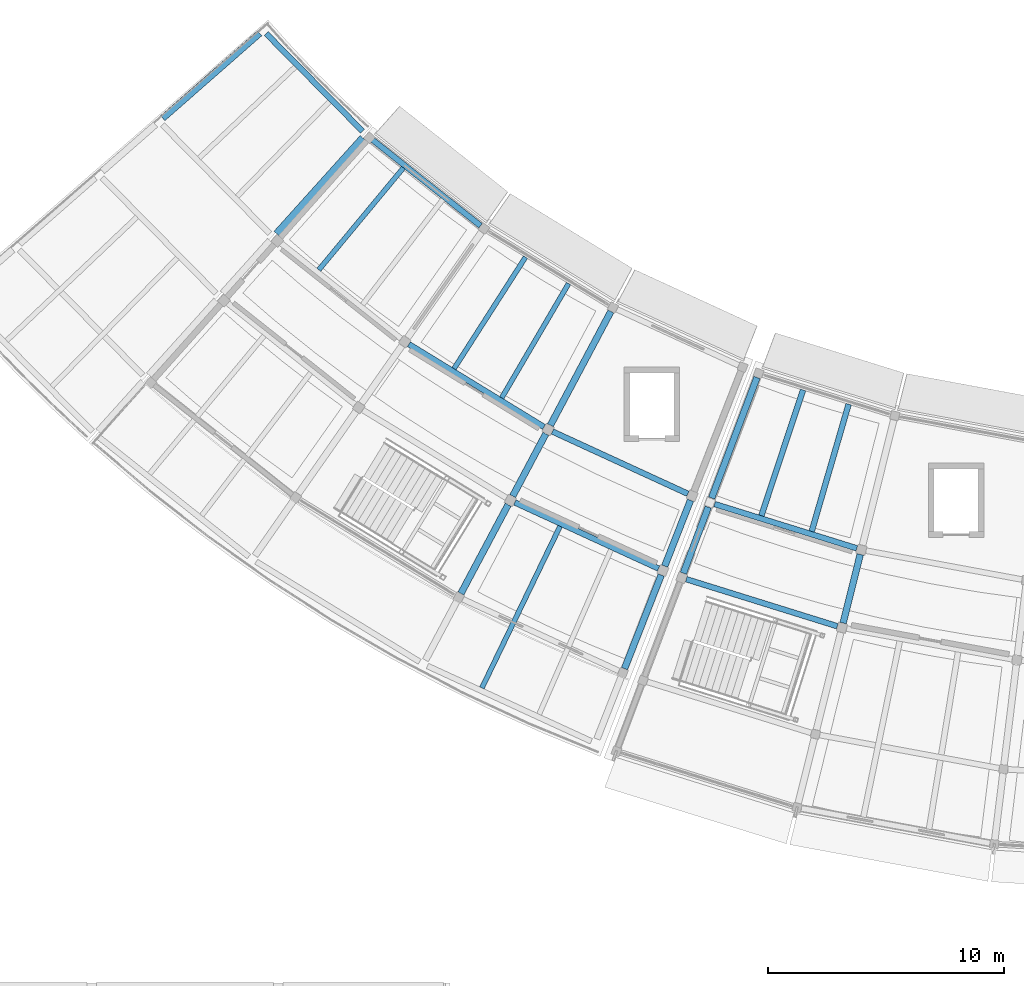
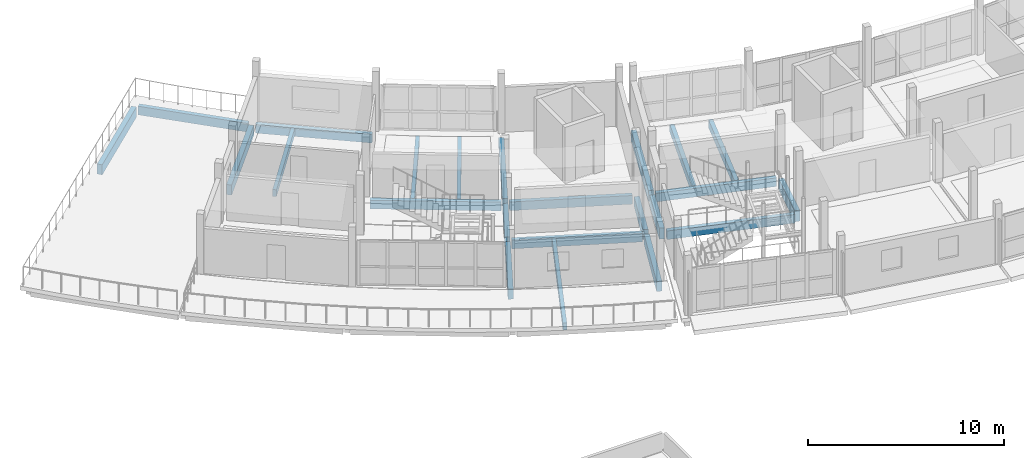
# One storey, part 11 of 36: 23 beams.
"""IFC4 building model written with IfcOpenShell, lengths in metres."""

from ifc_helpers import new_model, si_unit, direction, frame, origin, origin_2d, place, context, subcontext, project, spatial, rectangle, extrude, material, material_profile, profile_set, type_object, element, save


model = new_model("IFC4")

# Units and contexts
model_context = context("Model", 3, precision=1e-05, world=origin(), true_north=direction((0.0, 1.0)))
body_context = subcontext(model_context, "Body", "Model", "MODEL_VIEW")
ifc_project = project(units=[si_unit("LENGTHUNIT", "METRE"), si_unit("AREAUNIT", "SQUARE_METRE"), si_unit("VOLUMEUNIT", "CUBIC_METRE"), si_unit("PLANEANGLEUNIT", "RADIAN"), si_unit("MASSUNIT", "GRAM", prefix="KILO")], contexts=[model_context])

# Site, building, storey
site_placement = place(None, origin())
site = spatial("IfcSite", under=ifc_project, at=site_placement, CompositionType="ELEMENT")
building_placement = place(site_placement, origin())
building = spatial("IfcBuilding", under=site, at=building_placement, Name="Caldaven Crescent School", CompositionType="ELEMENT")
storey_placement = place(building_placement, frame((0.0, 0.0, 11.89990234375)))
storey = spatial("IfcBuildingStorey", under=building, at=storey_placement, Name="L03", CompositionType="ELEMENT", Elevation=11.89990234375)

# Beams
ifc_material = material(Name="Glulam MLE24h (GL28h)", Category="wood")
ifc_material_profile_1 = material_profile(ifc_material, rectangle(XDim=0.239990234375, YDim=0.5400390625, at=origin_2d()), Name="MLE 240x540")
ifc_profile_set_1 = profile_set([ifc_material_profile_1], Name="Glulam MLE24h (GL28h)")
beam_type_1 = type_object("IfcBeamType", Name="BM-GL54", PredefinedType="BEAM", material=ifc_profile_set_1)
beam_1_placement = place(storey_placement, frame((54.7353515625, 48.13623046875, -0.52001953125), z_axis=(0.85265146304, -0.52248012649, 0.0), x_axis=(0.52248012649, 0.85265146304, 0.0)))
element("IfcBeam", 1, at=beam_1_placement, inside=storey, type_object=beam_type_1, Name="BMT-V4W-L03-1379", PredefinedType="BEAM", context=body_context, shape_type="SweptSolid", body=[
    extrude(rectangle(XDim=0.239990234375, YDim=0.5400390625, at=origin_2d()), origin(), (0.0, 0.0, 1.0), 6.708251953125),
])
beam_2_placement = place(storey_placement, frame((60.816162109375, 44.4384765625, -0.52001953125), z_axis=(0.908521604568, -0.417837880083, 0.0), x_axis=(0.417837880083, 0.908521604568, 0.0)))
element("IfcBeam", 2, at=beam_2_placement, inside=storey, type_object=beam_type_1, Name="BMT-V4W-L03-1386", PredefinedType="BEAM", context=body_context, shape_type="SweptSolid", body=[
    extrude(rectangle(XDim=0.239990234375, YDim=0.5400390625, at=origin_2d()), origin(), (0.0, 0.0, 1.0), 6.307373046875),
])
beam_3_placement = place(storey_placement, frame((59.219970703125, 41.4365234375, -0.52001953125), z_axis=(0.908529189987, -0.41782138641, 0.0), x_axis=(0.41782138641, 0.908529189987, 0.0)))
element("IfcBeam", 3, at=beam_3_placement, inside=storey, type_object=beam_type_1, Name="BMT-V4W-L03-1387", PredefinedType="BEAM", context=body_context, shape_type="SweptSolid", body=[
    extrude(rectangle(XDim=0.239990234375, YDim=0.5400390625, at=origin_2d()), origin(), (0.0, 0.0, 1.0), 6.69921875),
])
beam_4_placement = place(storey_placement, frame((67.67822265625, 41.36865234375, -0.52001953125), z_axis=(0.954745450865, -0.297424148401, 0.0), x_axis=(0.297424148401, 0.954745450865, 0.0)))
element("IfcBeam", 4, at=beam_4_placement, inside=storey, type_object=beam_type_1, Name="BMT-V5-L03-1421", PredefinedType="BEAM", context=body_context, shape_type="SweptSolid", body=[
    extrude(rectangle(XDim=0.239990234375, YDim=0.5400390625, at=origin_2d()), origin(), (0.0, 0.0, 1.0), 6.307373046875),
])
beam_5_placement = place(storey_placement, frame((66.4814453125, 38.186279296875, -0.52001953125), z_axis=(0.95474092987, -0.29743866062, 0.0), x_axis=(0.29743866062, 0.95474092987, 0.0)))
element("IfcBeam", 5, at=beam_5_placement, inside=storey, type_object=beam_type_1, Name="BMT-V5-L03-1422", PredefinedType="BEAM", context=body_context, shape_type="SweptSolid", body=[
    extrude(rectangle(XDim=0.239990234375, YDim=0.5400390625, at=origin_2d()), origin(), (0.0, 0.0, 1.0), 6.699462890625),
])
ifc_material_profile_2 = material_profile(ifc_material, rectangle(XDim=0.280029296875, YDim=0.6298828125, at=origin_2d()), Name="MLE 280x630")
ifc_profile_set_2 = profile_set([ifc_material_profile_2], Name="Glulam MLE24h (GL28h)")
beam_type_2 = type_object("IfcBeamType", Name="BM-GL63", PredefinedType="BEAM", material=ifc_profile_set_2)
beam_6_placement = place(storey_placement, frame((48.4140625, 61.302490234375, -0.56494140625), z_axis=(-0.752013619297, -0.659147567994, 0.0), x_axis=(0.659147567994, -0.752013619297, 0.0)))
element("IfcBeam", 6, at=beam_6_placement, inside=storey, type_object=beam_type_2, Name="BMR-V4W-L03-1340", PredefinedType="BEAM", context=body_context, shape_type="SweptSolid", body=[
    extrude(rectangle(XDim=0.280029296875, YDim=0.6298828125, at=origin_2d()), origin(), (0.0, 0.0, 1.0), 5.455078125),
])
beam_7_placement = place(storey_placement, frame((52.77685546875, 56.880859375, -0.56494140625), z_axis=(-0.669100719019, -0.743171735071, 0.0), x_axis=(0.743171735071, -0.669100719019, 0.0)))
element("IfcBeam", 7, at=beam_7_placement, inside=storey, type_object=beam_type_2, Name="BMR-V4W-L03-1344", PredefinedType="BEAM", context=body_context, shape_type="SweptSolid", body=[
    extrude(rectangle(XDim=0.280029296875, YDim=0.6298828125, at=origin_2d()), origin(), (0.0, 0.0, 1.0), 5.454833984375),
])
beam_8_placement = place(storey_placement, frame((63.287109375, 49.521728515625, -0.56494140625), z_axis=(-0.469468235073, -0.882949362227, 0.0), x_axis=(0.882949362227, -0.469468235073, 0.0)))
element("IfcBeam", 8, at=beam_8_placement, inside=storey, type_object=beam_type_2, Name="BMR-V4W-L03-1352", PredefinedType="BEAM", context=body_context, shape_type="SweptSolid", body=[
    extrude(rectangle(XDim=0.280029296875, YDim=0.6298828125, at=origin_2d()), origin(), (0.0, 0.0, 1.0), 5.455078125),
])
beam_9_placement = place(storey_placement, frame((60.533447265625, 44.34326171875, -0.56494140625), z_axis=(-0.46941390334, -0.882978248515, 0.0), x_axis=(0.882978248515, -0.46941390334, 0.0)))
element("IfcBeam", 9, at=beam_9_placement, inside=storey, type_object=beam_type_2, Name="BMR-V4W-L03-1353", PredefinedType="BEAM", context=body_context, shape_type="SweptSolid", body=[
    extrude(rectangle(XDim=0.280029296875, YDim=0.6298828125, at=origin_2d()), origin(), (0.0, 0.0, 1.0), 2.989990234375),
])
beam_10_placement = place(storey_placement, frame((58.937255859375, 41.341064453125, -0.56494140625), z_axis=(-0.469474034945, -0.882946278384, 0.0), x_axis=(0.882946278384, -0.469474034945, 0.0)))
element("IfcBeam", 10, at=beam_10_placement, inside=storey, type_object=beam_type_2, Name="BMR-V4W-L03-1354", PredefinedType="BEAM", context=body_context, shape_type="SweptSolid", body=[
    extrude(rectangle(XDim=0.280029296875, YDim=0.6298828125, at=origin_2d()), origin(), (0.0, 0.0, 1.0), 4.2548828125),
])
beam_11_placement = place(storey_placement, frame((66.658203125, 41.526611328125, -0.56494140625), z_axis=(-0.364821090582, -0.931077640085, 0.0), x_axis=(0.931077640085, -0.364821090582, 0.0)))
element("IfcBeam", 11, at=beam_11_placement, inside=storey, type_object=beam_type_2, Name="BMR-V4W-L03-1357", PredefinedType="BEAM", context=body_context, shape_type="SweptSolid", body=[
    extrude(rectangle(XDim=0.280029296875, YDim=0.6298828125, at=origin_2d()), origin(), (0.0, 0.0, 1.0), 2.989990234375),
])
beam_12_placement = place(storey_placement, frame((65.417724609375, 38.36083984375, -0.56494140625), z_axis=(-0.364743301382, -0.931108116223, 0.0), x_axis=(0.931108116223, -0.364743301382, 0.0)))
element("IfcBeam", 12, at=beam_12_placement, inside=storey, type_object=beam_type_2, Name="BMR-V4W-L03-1358", PredefinedType="BEAM", context=body_context, shape_type="SweptSolid", body=[
    extrude(rectangle(XDim=0.280029296875, YDim=0.6298828125, at=origin_2d()), origin(), (0.0, 0.0, 1.0), 4.255126953125),
])
ifc_material_profile_3 = material_profile(ifc_material, rectangle(XDim=0.280029296875, YDim=0.68994140625, at=origin_2d()), Name="MLE 280x690")
ifc_profile_set_3 = profile_set([ifc_material_profile_3], Name="Glulam MLE24h (GL28h)")
beam_type_3 = type_object("IfcBeamType", Name="BM-GL69", PredefinedType="BEAM", material=ifc_profile_set_3)
beam_13_placement = place(storey_placement, frame((69.474365234375, 46.7275390625, -0.594970703125), z_axis=(-0.351957103113, -0.936016131041, 0.0), x_axis=(0.936016131041, -0.351957103113, 0.0)))
element("IfcBeam", 13, at=beam_13_placement, inside=storey, type_object=beam_type_3, Name="BMR-V5-L03-1392", PredefinedType="BEAM", context=body_context, shape_type="SweptSolid", body=[
    extrude(rectangle(XDim=0.280029296875, YDim=0.68994140625, at=origin_2d()), origin(), (0.0, 0.0, 1.0), 5.455078125),
])
beam_14_placement = place(storey_placement, frame((67.41015625, 41.23779296875, -0.594970703125), z_axis=(-0.351937632277, -0.936023452157, 0.0), x_axis=(0.936023452157, -0.351937632277, 0.0)))
element("IfcBeam", 14, at=beam_14_placement, inside=storey, type_object=beam_type_3, Name="BMR-V5-L03-1393", PredefinedType="BEAM", context=body_context, shape_type="SweptSolid", body=[
    extrude(rectangle(XDim=0.280029296875, YDim=0.68994140625, at=origin_2d()), origin(), (0.0, 0.0, 1.0), 2.98974609375),
])
beam_15_placement = place(storey_placement, frame((73.846435546875, 39.23291015625, -0.594970703125), z_axis=(-0.241920820529, -0.97029599432, 0.0), x_axis=(0.97029599432, -0.241920820529, 0.0)))
element("IfcBeam", 15, at=beam_15_placement, inside=storey, type_object=beam_type_3, Name="BMR-V5-L03-1397", PredefinedType="BEAM", context=body_context, shape_type="SweptSolid", body=[
    extrude(rectangle(XDim=0.280029296875, YDim=0.68994140625, at=origin_2d()), origin(), (0.0, 0.0, 1.0), 2.990234375),
])
ifc_material_profile_4 = material_profile(ifc_material, rectangle(XDim=0.2099609375, YDim=0.419921875, at=origin_2d()), Name="MLE 210x420")
ifc_profile_set_4 = profile_set([ifc_material_profile_4], Name="Glulam MLE24h (GL28h)")
beam_type_4 = type_object("IfcBeamType", Name="JS-GL42", PredefinedType="JOIST", material=ifc_profile_set_4)
beam_16_placement = place(storey_placement, frame((54.501220703125, 55.604736328125, -0.4599609375), z_axis=(-0.638337756262, -0.769756395836, 0.0), x_axis=(0.769756395836, -0.638337756262, 0.0)))
element("IfcBeam", 16, at=beam_16_placement, inside=storey, type_object=beam_type_4, Name="JSR-V4W-L03-1374", PredefinedType="JOIST", context=body_context, shape_type="SweptSolid", body=[
    extrude(rectangle(XDim=0.2099609375, YDim=0.419921875, at=origin_2d()), origin(), (0.0, 0.0, 1.0), 5.6103515625),
])
beam_17_placement = place(storey_placement, frame((59.673828125, 51.8232421875, -0.4599609375), z_axis=(-0.539758643815, -0.841819818267, 0.0), x_axis=(0.841819818267, -0.539758643815, 0.0)))
element("IfcBeam", 17, at=beam_17_placement, inside=storey, type_object=beam_type_4, Name="JSR-V4W-L03-1383", PredefinedType="JOIST", context=body_context, shape_type="SweptSolid", body=[
    extrude(rectangle(XDim=0.2099609375, YDim=0.419921875, at=origin_2d()), origin(), (0.0, 0.0, 1.0), 5.610107421875),
])
beam_18_placement = place(storey_placement, frame((61.498046875, 50.70556640625, -0.4599609375), z_axis=(-0.505012393824, -0.863112091263, 0.0), x_axis=(0.863112091263, -0.505012393824, 0.0)))
element("IfcBeam", 18, at=beam_18_placement, inside=storey, type_object=beam_type_4, Name="JSR-V4W-L03-1384", PredefinedType="JOIST", context=body_context, shape_type="SweptSolid", body=[
    extrude(rectangle(XDim=0.2099609375, YDim=0.419921875, at=origin_2d()), origin(), (0.0, 0.0, 1.0), 5.6103515625),
])
beam_19_placement = place(storey_placement, frame((61.136474609375, 40.428466796875, -0.4599609375), z_axis=(-0.435211145562, -0.900328417178, 0.0), x_axis=(0.900328417178, -0.435211145562, 0.0)))
element("IfcBeam", 19, at=beam_19_placement, inside=storey, type_object=beam_type_4, Name="JSR-V4W-L03-1390", PredefinedType="JOIST", context=body_context, shape_type="SweptSolid", body=[
    extrude(rectangle(XDim=0.2099609375, YDim=0.419921875, at=origin_2d()), origin(), (0.0, 0.0, 1.0), 7.6083984375),
])
ifc_material_profile_5 = material_profile(ifc_material, rectangle(XDim=0.239990234375, YDim=0.47998046875, at=origin_2d()), Name="MLE 240x480")
ifc_profile_set_5 = profile_set([ifc_material_profile_5], Name="Glulam MLE24h (GL28h)")
beam_type_5 = type_object("IfcBeamType", Name="JS-GL48", PredefinedType="JOIST", material=ifc_profile_set_5)
beam_20_placement = place(storey_placement, frame((71.42822265625, 46.197265625, -0.489990234375), z_axis=(-0.315731740735, -0.948848495753, 0.0), x_axis=(0.948848495753, -0.315731740735, 0.0)))
element("IfcBeam", 20, at=beam_20_placement, inside=storey, type_object=beam_type_5, Name="JSR-V5-L03-1425", PredefinedType="JOIST", context=body_context, shape_type="SweptSolid", body=[
    extrude(rectangle(XDim=0.239990234375, YDim=0.47998046875, at=origin_2d()), origin(), (0.0, 0.0, 1.0), 5.611572265625),
])
beam_21_placement = place(storey_placement, frame((73.355712890625, 45.5966796875, -0.489990234375), z_axis=(-0.278982349026, -0.960296229781, 0.0), x_axis=(0.960296229781, -0.278982349026, 0.0)))
element("IfcBeam", 21, at=beam_21_placement, inside=storey, type_object=beam_type_5, Name="JSR-V5-L03-1426", PredefinedType="JOIST", context=body_context, shape_type="SweptSolid", body=[
    extrude(rectangle(XDim=0.239990234375, YDim=0.47998046875, at=origin_2d()), origin(), (0.0, 0.0, 1.0), 5.611328125),
])
ifc_material_profile_6 = material_profile(ifc_material, rectangle(XDim=0.239990234375, YDim=0.5400390625, at=origin_2d()), Name="MLE 240x540")
ifc_profile_set_6 = profile_set([ifc_material_profile_6], Name="Glulam MLE24h (GL28h)")
beam_type_6 = type_object("IfcBeamType", Name="SP-GL54", PredefinedType="SPANDREL", material=ifc_profile_set_6)
beam_22_placement = place(storey_placement, frame((48.690185546875, 61.29248046875, -0.52001953125), z_axis=(0.702384460081, -0.711797773414, 0.0), x_axis=(0.711797773414, 0.702384460081, 0.0)))
element("IfcBeam", 22, at=beam_22_placement, inside=storey, type_object=beam_type_6, Name="BMT-V4W-L03-1360", PredefinedType="SPANDREL", context=body_context, shape_type="SweptSolid", body=[
    extrude(rectangle(XDim=0.239990234375, YDim=0.5400390625, at=origin_2d()), origin(), (0.0, 0.0, 1.0), 5.8095703125),
])
beam_23_placement = place(storey_placement, frame((53.052734375, 56.90380859375, -0.52001953125), z_axis=(0.782621246861, -0.622498179886, 0.0), x_axis=(0.622498179886, 0.782621246861, 0.0)))
element("IfcBeam", 23, at=beam_23_placement, inside=storey, type_object=beam_type_6, Name="BMT-V4W-L03-1369", PredefinedType="SPANDREL", context=body_context, shape_type="SweptSolid", body=[
    extrude(rectangle(XDim=0.239990234375, YDim=0.5400390625, at=origin_2d()), origin(), (0.0, 0.0, 1.0), 6.024169921875),
])

save(model, "model.ifc")
